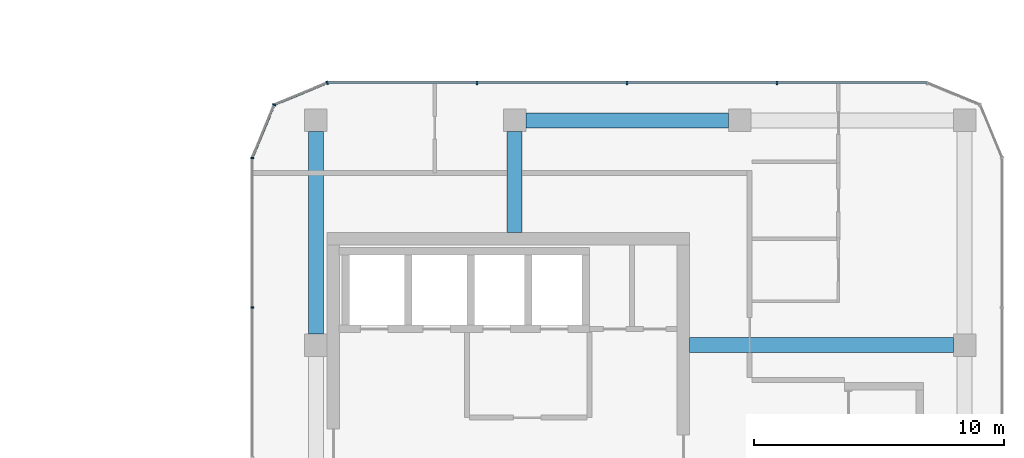
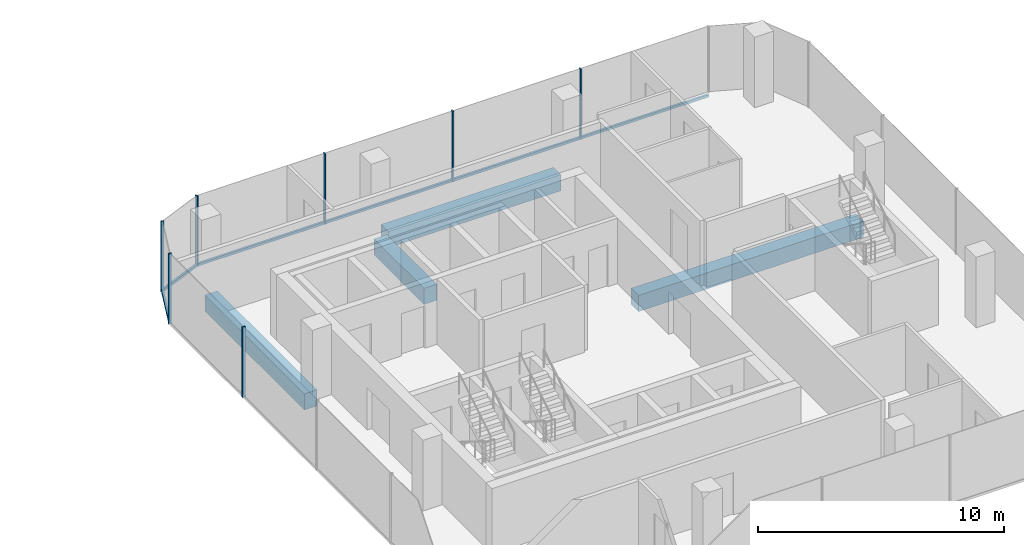
# One storey, part 10 of 24: 10 members, 4 beams, 4 elements without a shape of their own.
"""IFC4 building model written with IfcOpenShell, lengths in metres."""

from ifc_helpers import new_model, si_unit, direction, frame, origin, origin_2d, place, context, subcontext, project, spatial, rectangle, extrude, material, layer, layer_set, material_profile, profile_set, type_object, element, aggregate, save


model = new_model("IFC4")

# Units and contexts
model_context = context("Model", 3, precision=1e-05, world=origin(), true_north=direction((0.0, 1.0)))
body_context = subcontext(model_context, "Body", "Model", "MODEL_VIEW")
ifc_project = project(units=[si_unit("LENGTHUNIT", "METRE"), si_unit("AREAUNIT", "SQUARE_METRE"), si_unit("VOLUMEUNIT", "CUBIC_METRE"), si_unit("PLANEANGLEUNIT", "RADIAN"), si_unit("MASSUNIT", "GRAM", prefix="KILO")], contexts=[model_context])

# Site, building, storey
site_placement = place(None, origin())
site = spatial("IfcSite", under=ifc_project, at=site_placement, CompositionType="ELEMENT")
building_placement = place(site_placement, origin())
building = spatial("IfcBuilding", under=site, at=building_placement, Name="Plateau Cross Towers", CompositionType="ELEMENT")
storey_placement = place(building_placement, frame((0.0, 0.0, 47.800048828125)))
storey = spatial("IfcBuildingStorey", under=building, at=storey_placement, Name="L11", CompositionType="ELEMENT", Elevation=47.800048828125)

# Beams
ifc_material_1 = material(Name="Concrete C60/75", Category="concrete")
ifc_material_profile_1 = material_profile(ifc_material_1, rectangle(XDim=0.60009765625, YDim=0.800048828125, at=origin_2d()), Name="RC 600x800")
ifc_profile_set_1 = profile_set([ifc_material_profile_1], Name="Concrete C60/75")
beam_type_1 = type_object("IfcBeamType", Name="Core beam RC 600x800", PredefinedType="BEAM", material=ifc_profile_set_1)
beam_1_placement = place(storey_placement, frame((89.5, 13.5, -0.650146484375), z_axis=(1.0, 0.0, 0.0), x_axis=(0.0, 1.0, 0.0)))
element("IfcBeam", 1, at=beam_1_placement, inside=storey, type_object=beam_type_1, Name="B-CB03@L11", PredefinedType="BEAM", context=body_context, shape_type="SweptSolid", body=[
    extrude(rectangle(XDim=0.60009765625, YDim=0.800048828125, at=origin_2d()), origin(), (0.0, 0.0, 1.0), 10.550048828125),
])
beam_2_placement = place(storey_placement, frame((82.5, 18.0, -0.650146484375), z_axis=(0.0, 1.0, 0.0), x_axis=(-1.0, 0.0, 0.0)))
element("IfcBeam", 2, at=beam_2_placement, inside=storey, type_object=beam_type_1, Name="B-CB04@L11", PredefinedType="BEAM", context=body_context, shape_type="SweptSolid", body=[
    extrude(rectangle(XDim=0.60009765625, YDim=0.800048828125, at=origin_2d()), origin(), (0.0, 0.0, 1.0), 4.050048828125),
])

# Curtain wall, members
ifc_material_2 = material(Name="Dark low-iron glass", Category="glass")
ifc_layer = layer(ifc_material_2, 0.239990234375)
ifc_layer_set = layer_set([ifc_layer], Name="Dark low-iron glass")
curtain_wall_type = type_object("IfcCurtainWallType", Name="Curtain wall office unitised CW-F", PredefinedType="NOTDEFINED", material=ifc_layer_set)
curtain_wall_1_placement = place(storey_placement, origin())
curtain_wall_1 = element("IfcCurtainWall", 3, at=curtain_wall_1_placement, inside=storey, type_object=curtain_wall_type, Name="ENV/B/L11/B990_240", PredefinedType="NOTDEFINED")
ifc_material_3 = material(Name="Black anodised aluminium", Category="aluminium")
ifc_material_profile_2 = material_profile(ifc_material_3, rectangle(XDim=0.06005859375, YDim=0.139892578125, at=origin_2d()), Name="MULLION 60x140")
ifc_profile_set_2 = profile_set([ifc_material_profile_2], Name="Black anodised aluminium")
member_type_1 = type_object("IfcMemberType", Name="Mullion 60x140 office unitised", PredefinedType="MULLION", material=ifc_profile_set_2)
member_1_placement = place(storey_placement, frame((93.0, 24.0, -0.25), z_axis=(0.0, 0.0, 1.0), x_axis=(-1.0, 0.0, 0.0)))
member_1 = element("IfcMember", 4, at=member_1_placement, type_object=member_type_1, Name="CW-F mullion 2", PredefinedType="MULLION", context=body_context, shape_type="SweptSolid", body=[
    extrude(rectangle(XDim=0.06005859375, YDim=0.139892578125, at=origin_2d()), origin(), (0.0, 0.0, 1.0), 3.5),
])
member_2_placement = place(storey_placement, frame((87.0, 24.0, -0.25), z_axis=(0.0, 0.0, 1.0), x_axis=(-1.0, 0.0, 0.0)))
member_2 = element("IfcMember", 5, at=member_2_placement, type_object=member_type_1, Name="CW-F mullion 3", PredefinedType="MULLION", context=body_context, shape_type="SweptSolid", body=[
    extrude(rectangle(XDim=0.06005859375, YDim=0.139892578125, at=origin_2d()), origin(), (0.0, 0.0, 1.0), 3.5),
])
member_3_placement = place(storey_placement, frame((81.0, 24.0, -0.25), z_axis=(0.0, 0.0, 1.0), x_axis=(-1.0, 0.0, 0.0)))
member_3 = element("IfcMember", 6, at=member_3_placement, type_object=member_type_1, Name="CW-F mullion 4", PredefinedType="MULLION", context=body_context, shape_type="SweptSolid", body=[
    extrude(rectangle(XDim=0.06005859375, YDim=0.139892578125, at=origin_2d()), origin(), (0.0, 0.0, 1.0), 3.5),
])

# Curtain wall, member
curtain_wall_2_placement = place(storey_placement, origin())
curtain_wall_2 = element("IfcCurtainWall", 7, at=curtain_wall_2_placement, inside=storey, type_object=curtain_wall_type, Name="ENV/B/L11/B750_240", PredefinedType="NOTDEFINED")
member_4_placement = place(storey_placement, frame((75.0, 24.0, -0.25), z_axis=(0.0, 0.0, 1.0), x_axis=(-0.923879457699, -0.382683612978, 0.0)))
member_4 = element("IfcMember", 8, at=member_4_placement, type_object=member_type_1, Name="CW-F mullion 1", PredefinedType="MULLION", context=body_context, shape_type="SweptSolid", body=[
    extrude(rectangle(XDim=0.06005859375, YDim=0.139892578125, at=origin_2d()), origin(), (0.0, 0.0, 1.0), 3.5),
])

curtain_wall_3_placement = place(storey_placement, origin())
curtain_wall_3 = element("IfcCurtainWall", 9, at=curtain_wall_3_placement, inside=storey, type_object=curtain_wall_type, Name="ENV/B/L11/B729_231", PredefinedType="NOTDEFINED")
member_5_placement = place(storey_placement, frame((72.878662109375, 23.121337890625, -0.25), z_axis=(0.0, 0.0, 1.0), x_axis=(-0.382683612978, -0.923879457699, 0.0)))
member_5 = element("IfcMember", 10, at=member_5_placement, type_object=member_type_1, Name="CW-F mullion 1", PredefinedType="MULLION", context=body_context, shape_type="SweptSolid", body=[
    extrude(rectangle(XDim=0.06005859375, YDim=0.139892578125, at=origin_2d()), origin(), (0.0, 0.0, 1.0), 3.5),
])

# Curtain wall, members
curtain_wall_4_placement = place(storey_placement, origin())
curtain_wall_4 = element("IfcCurtainWall", 11, at=curtain_wall_4_placement, inside=storey, type_object=curtain_wall_type, Name="ENV/B/L11/B720_210", PredefinedType="NOTDEFINED")
member_6_placement = place(storey_placement, frame((72.0, 21.0, -0.25), z_axis=(0.0, 0.0, 1.0), x_axis=(0.0, -1.0, 0.0)))
member_6 = element("IfcMember", 12, at=member_6_placement, type_object=member_type_1, Name="CW-F mullion 1", PredefinedType="MULLION", context=body_context, shape_type="SweptSolid", body=[
    extrude(rectangle(XDim=0.06005859375, YDim=0.139892578125, at=origin_2d()), origin(), (0.0, 0.0, 1.0), 3.5),
])
member_7_placement = place(storey_placement, frame((72.0, 15.0, -0.25), z_axis=(0.0, 0.0, 1.0), x_axis=(0.0, -1.0, 0.0)))
member_7 = element("IfcMember", 13, at=member_7_placement, type_object=member_type_1, Name="CW-F mullion 2", PredefinedType="MULLION", context=body_context, shape_type="SweptSolid", body=[
    extrude(rectangle(XDim=0.06005859375, YDim=0.139892578125, at=origin_2d()), origin(), (0.0, 0.0, 1.0), 3.5),
])
aggregate(curtain_wall_4, [member_6, member_7])

# Beams
ifc_material_profile_3 = material_profile(ifc_material_1, rectangle(XDim=0.60009765625, YDim=0.800048828125, at=origin_2d()), Name="RC 600x800")
ifc_profile_set_3 = profile_set([ifc_material_profile_3], Name="Concrete C60/75")
beam_type_2 = type_object("IfcBeamType", Name="Ring beam RC 600x800", PredefinedType="BEAM", material=ifc_profile_set_3)
for number, where, z_axis, x_axis, name in (
    (14, (91.050048828125, 22.5, -0.650146484375), (-1.0, 0.0, 0.0), (0.0, -1.0, 0.0), "B-RB07@L11"),
    (15, (74.550048828125, 22.050048828125, -0.650146484375), (0.0, -1.0, 0.0), (1.0, 0.0, 0.0), "B-RB08@L11"),
):
    element("IfcBeam", number, at=place(storey_placement, frame(where, z_axis=z_axis, x_axis=x_axis)), inside=storey, type_object=beam_type_2, Name=name, PredefinedType="BEAM", context=body_context, shape_type="SweptSolid", body=[
        extrude(rectangle(XDim=0.60009765625, YDim=0.800048828125, at=origin_2d()), origin(), (0.0, 0.0, 1.0), 8.10009765625),
    ])

# Member
ifc_material_profile_4 = material_profile(ifc_material_3, rectangle(XDim=0.10009765625, YDim=0.1201171875, at=origin_2d()), Name="TRANSOM 100x120")
ifc_profile_set_4 = profile_set([ifc_material_profile_4], Name="Black anodised aluminium")
member_type_2 = type_object("IfcMemberType", Name="Transom 100x120 office unitised", PredefinedType="USERDEFINED", material=ifc_profile_set_4)
member_8_placement = place(storey_placement, frame((99.0, 24.0, -0.18994140625), z_axis=(-1.0, 0.0, 0.0), x_axis=(0.0, -1.0, 0.0)))
member_8 = element("IfcMember", 16, at=member_8_placement, type_object=member_type_2, Name="CW-F transom", ObjectType="TRANSOM", PredefinedType="USERDEFINED", context=body_context, shape_type="SweptSolid", body=[
    extrude(rectangle(XDim=0.10009765625, YDim=0.1201171875, at=origin_2d()), origin(), (0.0, 0.0, 1.0), 24.0),
])

aggregate(curtain_wall_1, [member_1, member_2, member_3, member_8])

member_9_placement = place(storey_placement, frame((75.0, 24.0, -0.18994140625), z_axis=(-0.923883353507, -0.382674207535, 0.0), x_axis=(0.382674207535, -0.923883353507, 0.0)))
member_9 = element("IfcMember", 17, at=member_9_placement, type_object=member_type_2, Name="CW-F transom", ObjectType="TRANSOM", PredefinedType="USERDEFINED", context=body_context, shape_type="SweptSolid", body=[
    extrude(rectangle(XDim=0.10009765625, YDim=0.1201171875, at=origin_2d()), origin(), (0.0, 0.0, 1.0), 2.296142578125),
])

aggregate(curtain_wall_2, [member_4, member_9])

member_10_placement = place(storey_placement, frame((72.878662109375, 23.121337890625, -0.18994140625), z_axis=(-0.382674207535, -0.923883353507, 0.0), x_axis=(0.923883353507, -0.382674207535, 0.0)))
member_10 = element("IfcMember", 18, at=member_10_placement, type_object=member_type_2, Name="CW-F transom", ObjectType="TRANSOM", PredefinedType="USERDEFINED", context=body_context, shape_type="SweptSolid", body=[
    extrude(rectangle(XDim=0.10009765625, YDim=0.1201171875, at=origin_2d()), origin(), (0.0, 0.0, 1.0), 2.296142578125),
])

aggregate(curtain_wall_3, [member_5, member_10])

save(model, "model.ifc")
